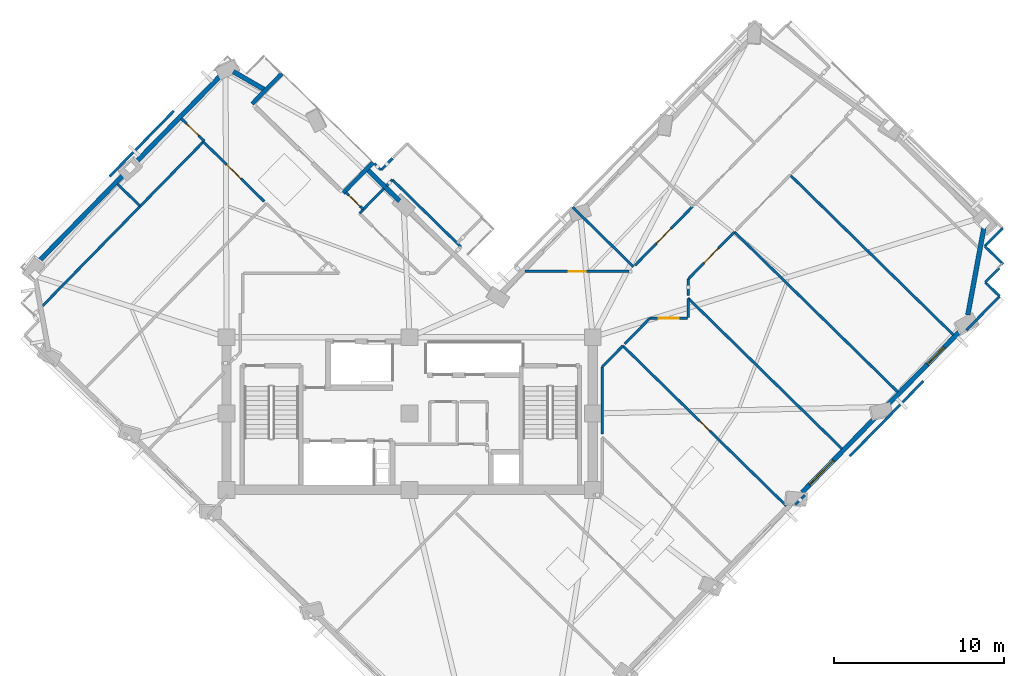
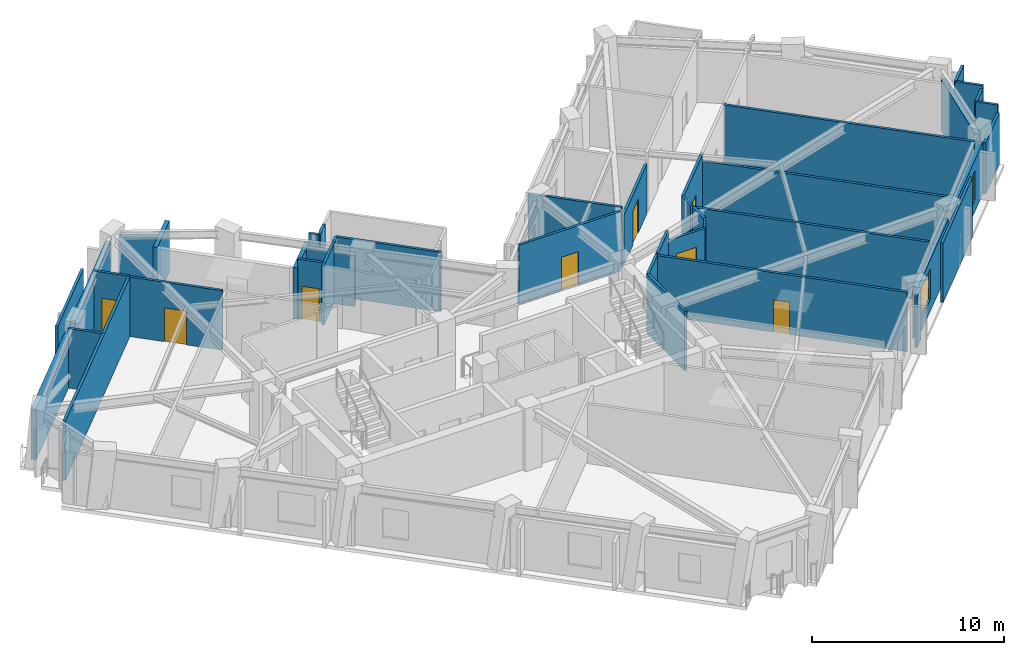
# One storey, part 6 of 12: 41 walls, 8 doors, 2 windows, 10 openings.
"""IFC4 building model written with IfcOpenShell, lengths in metres."""

from ifc_helpers import new_model, si_unit, direction, frame, frame_2d, origin, place, context, subcontext, project, spatial, rectangle, extrude, material, layer, layer_set, type_object, element, fill, save


model = new_model("IFC4")

# Units and contexts
model_context = context("Model", 3, precision=1e-05, world=origin(), true_north=direction((0.0, 1.0)))
body_context = subcontext(model_context, "Body", "Model", "MODEL_VIEW")
ifc_project = project(units=[si_unit("LENGTHUNIT", "METRE"), si_unit("AREAUNIT", "SQUARE_METRE"), si_unit("VOLUMEUNIT", "CUBIC_METRE"), si_unit("PLANEANGLEUNIT", "RADIAN"), si_unit("MASSUNIT", "GRAM", prefix="KILO")], contexts=[model_context])

# Site, building, storey
site_placement = place(None, origin())
site = spatial("IfcSite", under=ifc_project, at=site_placement, CompositionType="ELEMENT")
building_placement = place(site_placement, origin())
building = spatial("IfcBuilding", under=site, at=building_placement, Name="Gaonmaruhae Medical Tower", CompositionType="ELEMENT")
storey_placement = place(building_placement, frame((0.0, 0.0, 219.199951171875)))
storey = spatial("IfcBuildingStorey", under=building, at=storey_placement, Name="L52", CompositionType="ELEMENT", Elevation=219.199951171875)

# Walls
ifc_material_1 = material(Name="Precast concrete C45/55", Category="concrete")
ifc_layer_1 = layer(ifc_material_1, 0.239990234375)
ifc_layer_set_1 = layer_set([ifc_layer_1], Name="Precast concrete C45/55")
wall_type_1 = type_object("IfcWallType", Name="EW-240 Ribbon & Shelter Insulated Precast Wall", PredefinedType="SOLIDWALL", material=ifc_layer_set_1)
wall_1_placement = place(storey_placement, frame((20.88037109375, 25.30322265625, 0.0), z_axis=(0.0, 0.0, 1.0), x_axis=(0.699645566709, 0.714490084595, 0.0)))
element("IfcWall", 1, at=wall_1_placement, inside=storey, type_object=wall_type_1, Name="L52 Recessed Terrace Enclosure Wall TERL", PredefinedType="SOLIDWALL", context=body_context, shape_type="SweptSolid", body=[
    extrude(rectangle(XDim=2.499755859375, YDim=0.239990234375, at=frame_2d((1.25, 0.0))), origin(), (0.0, 0.0, 1.0), 3.26513671875),
])
wall_2_placement = place(storey_placement, frame((17.256591796875, 32.350830078125, 0.0), z_axis=(0.0, 0.0, 1.0), x_axis=(-0.699695417311, -0.714441266301, 0.0)))
element("IfcWall", 2, at=wall_2_placement, inside=storey, type_object=wall_type_1, Name="L52 Recessed Terrace Enclosure Wall TERR", PredefinedType="SOLIDWALL", context=body_context, shape_type="SweptSolid", body=[
    extrude(rectangle(XDim=2.5, YDim=0.239990234375, at=frame_2d((1.25, 0.0))), origin(), (0.0, 0.0, 1.0), 3.26513671875),
])

# Wall, opening, window
ifc_layer_2 = layer(ifc_material_1, 0.280029296875)
ifc_layer_set_2 = layer_set([ifc_layer_2], Name="Precast concrete C45/55")
wall_type_2 = type_object("IfcWallType", Name="EW-280 Upper Precast Masonry-Frame Facade Wall", PredefinedType="SOLIDWALL", material=ifc_layer_set_2)
wall_3_placement = place(storey_placement, frame((52.427490234375, 12.22509765625, 0.0), z_axis=(0.0, 0.0, 1.0), x_axis=(-0.699656404434, -0.714479471877, 0.0)))
wall_3 = element("IfcWall", 3, at=wall_3_placement, inside=storey, type_object=wall_type_2, Name="L52 Precast Masonry-Frame Wall S04-S05", PredefinedType="SOLIDWALL", context=body_context, shape_type="SweptSolid", body=[
    extrude(rectangle(XDim=6.406982421875, YDim=0.280029296875, at=frame_2d((3.20361328125, 0.0))), origin(), (0.0, 0.0, 1.0), 3.26513671875),
])
opening_1_placement = place(wall_3_placement, frame((3.77001953125, 0.0, 0.75)))
opening_1 = element("IfcOpeningElement", 4, at=opening_1_placement, cuts=wall_3, Name="Opening WN-02", PredefinedType="OPENING", context=body_context, shape_type="SweptSolid", body=[
    extrude(rectangle(XDim=2.0, YDim=1.949951171875, at=frame_2d((1.0, 0.97509765625))), frame((0.0, 0.14990234375, 0.0), z_axis=(0.0, -1.0, 0.0), x_axis=(1.0, 0.0, 0.0)), (0.0, 0.0, 1.0), 0.300048828125),
])
ifc_material_2 = material(Name="Anodised aluminium and Low-E double glazing", Category="aluminium")
window_type_1 = type_object("IfcWindowType", Name="WN-02 Double-Bed Ward Punched Window 2000x1950", PartitioningType="SINGLE_PANEL", PredefinedType="WINDOW", material=ifc_material_2)
window_1_placement = place(opening_1_placement, origin())
window_1 = element("IfcWindow", 5, at=window_1_placement, inside=storey, type_object=window_type_1, Name="L52 Modular Facade Window S04", OverallHeight=1.949951171875, OverallWidth=2.0, PartitioningType="SINGLE_PANEL", PredefinedType="WINDOW", context=body_context, shape_type="SweptSolid", body=[
    extrude(rectangle(XDim=2.0, YDim=1.949951171875, at=frame_2d((1.0, 0.97509765625))), frame((0.0, 0.030029296875, 0.0), z_axis=(0.0, -1.0, 0.0), x_axis=(1.0, 0.0, 0.0)), (0.0, 0.0, 1.0), 0.06005859375),
])
fill(opening_1, window_1)

wall_4_placement = place(storey_placement, frame((57.471923828125, 17.376220703125, 0.0), z_axis=(0.0, 0.0, 1.0), x_axis=(-0.699669698405, -0.71446645347, 0.0)))
wall_4 = element("IfcWall", 6, at=wall_4_placement, inside=storey, type_object=wall_type_2, Name="L52 Precast Masonry-Frame Wall S05-S06", PredefinedType="SOLIDWALL", context=body_context, shape_type="SweptSolid", body=[
    extrude(rectangle(XDim=6.41845703125, YDim=0.280029296875, at=frame_2d((3.209228515625, 0.0))), origin(), (0.0, 0.0, 1.0), 3.26513671875),
])
opening_2_placement = place(wall_4_placement, frame((1.630859375, 0.0, 0.75)))
opening_2 = element("IfcOpeningElement", 7, at=opening_2_placement, cuts=wall_4, Name="Opening WN-03", PredefinedType="OPENING", context=body_context, shape_type="SweptSolid", body=[
    extrude(rectangle(XDim=1.39990234375, YDim=1.85009765625, at=frame_2d((0.699951171875, 0.925048828125))), frame((0.0, 0.14990234375, 0.0), z_axis=(0.0, -1.0, 0.0), x_axis=(1.0, 0.0, 0.0)), (0.0, 0.0, 1.0), 0.300048828125),
])
window_type_2 = type_object("IfcWindowType", Name="WN-03 Isolation Ward Punched Window 1400x1850", PartitioningType="SINGLE_PANEL", PredefinedType="WINDOW", material=ifc_material_2)
window_2_placement = place(opening_2_placement, origin())
window_2 = element("IfcWindow", 8, at=window_2_placement, inside=storey, type_object=window_type_2, Name="L52 Modular Facade Window S05", OverallHeight=1.85009765625, OverallWidth=1.39990234375, PartitioningType="SINGLE_PANEL", PredefinedType="WINDOW", context=body_context, shape_type="SweptSolid", body=[
    extrude(rectangle(XDim=1.39990234375, YDim=1.85009765625, at=frame_2d((0.699951171875, 0.925048828125))), frame((0.0, 0.030029296875, 0.0), z_axis=(0.0, -1.0, 0.0), x_axis=(1.0, 0.0, 0.0)), (0.0, 0.0, 1.0), 0.06005859375),
])
fill(opening_2, window_2)

# Walls
wall_5_placement = place(storey_placement, frame((58.6826171875, 23.320556640625, 0.0), z_axis=(0.0, 0.0, 1.0), x_axis=(-0.181327925421, -0.983422688096, 0.0)))
element("IfcWall", 9, at=wall_5_placement, inside=storey, type_object=wall_type_2, Name="L52 Precast Masonry-Frame Wall S06-E01", PredefinedType="SOLIDWALL", context=body_context, shape_type="SweptSolid", body=[
    extrude(rectangle(XDim=5.2939453125, YDim=0.280029296875, at=frame_2d((2.64697265625, 0.0))), origin(), (0.0, 0.0, 1.0), 3.26513671875),
])
wall_6_placement = place(storey_placement, frame((22.286865234375, 26.7109375, 0.0), z_axis=(0.0, 0.0, 1.0), x_axis=(0.714490507763, -0.699645134562, 0.0)))
element("IfcWall", 10, at=wall_6_placement, inside=storey, type_object=wall_type_2, Name="L52 Precast Masonry-Frame Wall NE01-NE02", PredefinedType="SOLIDWALL", context=body_context, shape_type="SweptSolid", body=[
    extrude(rectangle(XDim=2.6806640625, YDim=0.280029296875, at=frame_2d((1.34033203125, 0.0))), origin(), (0.0, 0.0, 1.0), 3.2451171875),
])
wall_7_placement = place(storey_placement, frame((14.40380859375, 32.46484375, 0.0), z_axis=(0.0, 0.0, 1.0), x_axis=(0.865860732719, -0.500285110247, 0.0)))
element("IfcWall", 11, at=wall_7_placement, inside=storey, type_object=wall_type_2, Name="L52 Precast Masonry-Frame Wall NE02-N01", PredefinedType="SOLIDWALL", context=body_context, shape_type="SweptSolid", body=[
    extrude(rectangle(XDim=2.165771484375, YDim=0.280029296875, at=frame_2d((1.0830078125, 0.0))), origin(), (0.0, 0.0, 1.0), 3.2451171875),
])
wall_8_placement = place(storey_placement, frame((8.4833984375, 26.95068359375, 0.0), z_axis=(0.0, 0.0, 1.0), x_axis=(0.699662514677, 0.714473488351, 0.0)))
element("IfcWall", 12, at=wall_8_placement, inside=storey, type_object=wall_type_2, Name="L52 Precast Masonry-Frame Wall N01-N02", PredefinedType="SOLIDWALL", context=body_context, shape_type="SweptSolid", body=[
    extrude(rectangle(XDim=7.43408203125, YDim=0.280029296875, at=frame_2d((3.717041015625, 0.0))), origin(), (0.0, 0.0, 1.0), 3.26513671875),
])
wall_9_placement = place(storey_placement, frame((2.723876953125, 21.0693359375, 0.0), z_axis=(0.0, 0.0, 1.0), x_axis=(0.699663647381, 0.714472379125, 0.0)))
element("IfcWall", 13, at=wall_9_placement, inside=storey, type_object=wall_type_2, Name="L52 Precast Masonry-Frame Wall N02-N03", PredefinedType="SOLIDWALL", context=body_context, shape_type="SweptSolid", body=[
    extrude(rectangle(XDim=7.48486328125, YDim=0.280029296875, at=frame_2d((3.742431640625, 0.0))), origin(), (0.0, 0.0, 1.0), 3.26513671875),
])

# Wall, opening, door
ifc_material_3 = material(Name="Gypsum board partition", Category="gypsum")
ifc_layer_3 = layer(ifc_material_3, 0.14990234375)
ifc_layer_set_3 = layer_set([ifc_layer_3], Name="Gypsum board partition")
wall_type_3 = type_object("IfcWallType", Name="PW-150 Rated Clinical Corridor Partition", PredefinedType="PARTITIONING", material=ifc_layer_set_3)
wall_10_placement = place(storey_placement, frame((37.376953125, 16.2939453125, 0.0), z_axis=(0.0, 0.0, 1.0), x_axis=(0.714446126833, -0.699690454311, 0.0)))
wall_10 = element("IfcWall", 14, at=wall_10_placement, inside=storey, type_object=wall_type_3, Name="L52 Interior Partition L52-SUP05-16", PredefinedType="PARTITIONING", context=body_context, shape_type="SweptSolid", body=[
    extrude(rectangle(XDim=13.484619140625, YDim=0.14990234375, at=frame_2d((6.7421875, 0.0))), origin(), (0.0, 0.0, 1.0), 3.780029296875),
])
opening_3_placement = place(wall_10_placement, frame((6.312255859375, 0.0, 0.0)))
opening_3 = element("IfcOpeningElement", 15, at=opening_3_placement, cuts=wall_10, Name="Opening AD-01", PredefinedType="OPENING", context=body_context, shape_type="SweptSolid", body=[
    extrude(rectangle(XDim=0.860107421875, YDim=2.06005859375, at=frame_2d((0.43017578125, 1.030029296875))), frame((0.0, 0.0849609375, 0.0), z_axis=(0.0, -1.0, 0.0), x_axis=(1.0, 0.0, 0.0)), (0.0, 0.0, 1.0), 0.169921875),
])
ifc_material_4 = material(Name="Powder-coated steel access door", Category="steel")
door_type_1 = type_object("IfcDoorType", Name="AD-01 Riser & Closet Access Fire Door 860x2060", OperationType="NOTDEFINED", PredefinedType="DOOR", material=ifc_material_4)
door_1_placement = place(opening_3_placement, origin())
door_1 = element("IfcDoor", 16, at=door_1_placement, inside=storey, type_object=door_type_1, Name="L52 Clinical Biomedical Charting Office Sliding Door", OperationType="SLIDING_TO_LEFT", OverallHeight=2.06005859375, OverallWidth=0.860107421875, PredefinedType="DOOR", context=body_context, shape_type="SweptSolid", body=[
    extrude(rectangle(XDim=0.860107421875, YDim=2.06005859375, at=frame_2d((0.43017578125, 1.030029296875))), frame((0.0, 0.02490234375, 0.0), z_axis=(0.0, -1.0, 0.0), x_axis=(1.0, 0.0, 0.0)), (0.0, 0.0, 1.0), 0.050048828125),
])
fill(opening_3, door_1)

# Walls
wall_11_placement = place(storey_placement, frame((36.14990234375, 11.092041015625, 0.0), z_axis=(0.0, 0.0, 1.0), x_axis=(0.0, 1.0, 0.0)))
element("IfcWall", 17, at=wall_11_placement, inside=storey, type_object=wall_type_3, Name="L52 Interior Partition L52-SUP05-17", PredefinedType="PARTITIONING", context=body_context, shape_type="SweptSolid", body=[
    extrude(rectangle(XDim=3.948974609375, YDim=0.14990234375, at=frame_2d((1.974609375, 0.0))), origin(), (0.0, 0.0, 1.0), 3.780029296875),
])
wall_12_placement = place(storey_placement, frame((36.14990234375, 15.041015625, 0.0), z_axis=(0.0, 0.0, 1.0), x_axis=(0.699689939296, 0.714446631211, 0.0)))
element("IfcWall", 18, at=wall_12_placement, inside=storey, type_object=wall_type_3, Name="L52 Interior Partition L52-SUP05-18", PredefinedType="PARTITIONING", context=body_context, shape_type="SweptSolid", body=[
    extrude(rectangle(XDim=1.753662109375, YDim=0.14990234375, at=frame_2d((0.876953125, 0.0))), origin(), (0.0, 0.0, 1.0), 3.780029296875),
])
wall_13_placement = place(storey_placement, frame((41.22998046875, 17.949951171875, 0.0), z_axis=(0.0, 0.0, 1.0), x_axis=(0.0, 1.0, 0.0)))
element("IfcWall", 19, at=wall_13_placement, inside=storey, type_object=wall_type_3, Name="L52 Interior Partition L52-SUP06-19", PredefinedType="PARTITIONING", context=body_context, shape_type="SweptSolid", body=[
    extrude(rectangle(XDim=1.149169921875, YDim=0.14990234375, at=frame_2d((0.57470703125, 0.0))), origin(), (0.0, 0.0, 1.0), 3.780029296875),
])
wall_14_placement = place(storey_placement, frame((41.22998046875, 19.09912109375, 0.0), z_axis=(0.0, 0.0, 1.0), x_axis=(0.714433717365, -0.699703125255, 0.0)))
element("IfcWall", 20, at=wall_14_placement, inside=storey, type_object=wall_type_3, Name="L52 Interior Partition L52-SUP06-20", PredefinedType="PARTITIONING", context=body_context, shape_type="SweptSolid", body=[
    extrude(rectangle(XDim=12.695556640625, YDim=0.14990234375, at=frame_2d((6.34765625, 0.0))), origin(), (0.0, 0.0, 1.0), 3.780029296875),
])
wall_15_placement = place(storey_placement, frame((48.10888671875, 7.487060546875, 0.0), z_axis=(0.0, 0.0, 1.0), x_axis=(-0.698757817186, -0.715358310863, 0.0)))
element("IfcWall", 21, at=wall_15_placement, inside=storey, type_object=wall_type_3, Name="L52 Interior Partition L52-SUP06-21", PredefinedType="PARTITIONING", context=body_context, shape_type="SweptSolid", body=[
    extrude(rectangle(XDim=0.794189453125, YDim=0.14990234375, at=frame_2d((0.39697265625, 0.0))), origin(), (0.0, 0.0, 1.0), 3.26513671875),
])
wall_16_placement = place(storey_placement, frame((37.489013671875, 16.407958984375, 0.0), z_axis=(0.0, 0.0, 1.0), x_axis=(0.699508189246, 0.714624581986, 0.0)))
element("IfcWall", 22, at=wall_16_placement, inside=storey, type_object=wall_type_3, Name="L52 Interior Partition L52-SUP06-22", PredefinedType="PARTITIONING", context=body_context, shape_type="SweptSolid", body=[
    extrude(rectangle(XDim=2.11572265625, YDim=0.14990234375, at=frame_2d((1.057861328125, 0.0))), origin(), (0.0, 0.0, 1.0), 3.780029296875),
])

# Wall, opening, door
wall_17_placement = place(storey_placement, frame((38.968994140625, 17.919921875, 0.0), z_axis=(0.0, 0.0, 1.0), x_axis=(1.0, 0.0, 0.0)))
wall_17 = element("IfcWall", 23, at=wall_17_placement, inside=storey, type_object=wall_type_3, Name="L52 Interior Partition L52-SUP06-23", PredefinedType="PARTITIONING", context=body_context, shape_type="SweptSolid", body=[
    extrude(rectangle(XDim=2.23388671875, YDim=0.14990234375, at=frame_2d((1.116943359375, 0.0))), origin(), (0.0, 0.0, 1.0), 3.1650390625),
])
opening_4_placement = place(wall_17_placement, frame((0.51708984375, 0.0, 0.0)))
opening_4 = element("IfcOpeningElement", 24, at=opening_4_placement, cuts=wall_17, Name="Opening CD-02", PredefinedType="OPENING", context=body_context, shape_type="SweptSolid", body=[
    extrude(rectangle(XDim=1.199951171875, YDim=2.14990234375, at=frame_2d((0.60009765625, 1.074951171875))), frame((0.0, 0.0849609375, 0.0), z_axis=(0.0, -1.0, 0.0), x_axis=(1.0, 0.0, 0.0)), (0.0, 0.0, 1.0), 0.169921875),
])
ifc_material_5 = material(Name="Antimicrobial laminate timber fire door", Category="wood")
door_type_2 = type_object("IfcDoorType", Name="CD-02 Clinical Treatment & Procedure Door 1200x2150", OperationType="NOTDEFINED", PredefinedType="DOOR", material=ifc_material_5)
door_2_placement = place(opening_4_placement, origin())
door_2 = element("IfcDoor", 25, at=door_2_placement, inside=storey, type_object=door_type_2, Name="L52 Clinical Biomedical Charting Office Door", OperationType="SINGLE_SWING_RIGHT", OverallHeight=2.14990234375, OverallWidth=1.199951171875, PredefinedType="DOOR", context=body_context, shape_type="SweptSolid", body=[
    extrude(rectangle(XDim=1.199951171875, YDim=2.14990234375, at=frame_2d((0.60009765625, 1.074951171875))), frame((0.0, 0.02490234375, 0.0), z_axis=(0.0, -1.0, 0.0), x_axis=(1.0, 0.0, 0.0)), (0.0, 0.0, 1.0), 0.050048828125),
])
fill(opening_4, door_2)

# Walls
wall_18_placement = place(storey_placement, frame((43.9541015625, 23.010009765625, 0.0), z_axis=(0.0, 0.0, 1.0), x_axis=(0.714437262996, -0.699699504961, 0.0)))
element("IfcWall", 26, at=wall_18_placement, inside=storey, type_object=wall_type_3, Name="L52 Interior Partition L52-SUP07-24", PredefinedType="PARTITIONING", context=body_context, shape_type="SweptSolid", body=[
    extrude(rectangle(XDim=13.484375, YDim=0.14990234375, at=frame_2d((6.7421875, 0.0))), origin(), (0.0, 0.0, 1.0), 3.4150390625),
])
wall_19_placement = place(storey_placement, frame((41.22998046875, 19.27392578125, 0.0), z_axis=(0.0, 0.0, 1.0), x_axis=(0.0, 1.0, 0.0)))
element("IfcWall", 27, at=wall_19_placement, inside=storey, type_object=wall_type_3, Name="L52 Interior Partition L52-SUP07-26", PredefinedType="PARTITIONING", context=body_context, shape_type="SweptSolid", body=[
    extrude(rectangle(XDim=0.9541015625, YDim=0.14990234375, at=frame_2d((0.47705078125, 0.0))), origin(), (0.0, 0.0, 1.0), 3.780029296875),
])

# Wall, opening, door
wall_20_placement = place(storey_placement, frame((41.22998046875, 20.22802734375, 0.0), z_axis=(0.0, 0.0, 1.0), x_axis=(0.699637463653, 0.714498019209, 0.0)))
wall_20 = element("IfcWall", 28, at=wall_20_placement, inside=storey, type_object=wall_type_3, Name="L52 Interior Partition L52-SUP07-27", PredefinedType="PARTITIONING", context=body_context, shape_type="SweptSolid", body=[
    extrude(rectangle(XDim=3.8935546875, YDim=0.14990234375, at=frame_2d((1.94677734375, 0.0))), origin(), (0.0, 0.0, 1.0), 3.780029296875),
])
opening_5_placement = place(wall_20_placement, frame((1.3466796875, 0.0, 0.0)))
opening_5 = element("IfcOpeningElement", 29, at=opening_5_placement, cuts=wall_20, Name="Opening CD-02", PredefinedType="OPENING", context=body_context, shape_type="SweptSolid", body=[
    extrude(rectangle(XDim=1.199951171875, YDim=2.14990234375, at=frame_2d((0.60009765625, 1.074951171875))), frame((0.0, 0.0849609375, 0.0), z_axis=(0.0, -1.0, 0.0), x_axis=(1.0, 0.0, 0.0)), (0.0, 0.0, 1.0), 0.169921875),
])
door_3_placement = place(opening_5_placement, origin())
door_3 = element("IfcDoor", 30, at=door_3_placement, inside=storey, type_object=door_type_2, Name="L52 Clinical Biomedical Charting Office Door", OperationType="SINGLE_SWING_LEFT", OverallHeight=2.14990234375, OverallWidth=1.199951171875, PredefinedType="DOOR", context=body_context, shape_type="SweptSolid", body=[
    extrude(rectangle(XDim=1.199951171875, YDim=2.14990234375, at=frame_2d((0.60009765625, 1.074951171875))), frame((0.0, 0.02490234375, 0.0), z_axis=(0.0, -1.0, 0.0), x_axis=(1.0, 0.0, 0.0)), (0.0, 0.0, 1.0), 0.050048828125),
])
fill(opening_5, door_3)

# Walls
wall_21_placement = place(storey_placement, frame((47.241943359375, 26.367919921875, 0.0), z_axis=(0.0, 0.0, 1.0), x_axis=(0.714409925355, -0.699727417323, 0.0)))
element("IfcWall", 31, at=wall_21_placement, inside=storey, type_object=wall_type_3, Name="L52 Interior Partition L52-SUP08-29", PredefinedType="PARTITIONING", context=body_context, shape_type="SweptSolid", body=[
    extrude(rectangle(XDim=13.4853515625, YDim=0.14990234375, at=frame_2d((6.74267578125, 0.0))), origin(), (0.0, 0.0, 1.0), 3.780029296875),
])
wall_22_placement = place(storey_placement, frame((59.596923828125, 19.217041015625, 0.0), z_axis=(0.0, 0.0, 1.0), x_axis=(-0.699925026258, -0.714216324105, 0.0)))
element("IfcWall", 32, at=wall_22_placement, inside=storey, type_object=wall_type_3, Name="L52 Interior Partition L52-SUP09-30", PredefinedType="PARTITIONING", context=body_context, shape_type="SweptSolid", body=[
    extrude(rectangle(XDim=2.8017578125, YDim=0.14990234375, at=frame_2d((1.40087890625, 0.0))), origin(), (0.0, 0.0, 1.0), 3.26513671875),
])
wall_23_placement = place(storey_placement, frame((59.569091796875, 20.875, 0.0), z_axis=(0.0, 0.0, 1.0), x_axis=(-0.700266156004, -0.713881860503, 0.0)))
element("IfcWall", 33, at=wall_23_placement, inside=storey, type_object=wall_type_3, Name="L52 Interior Partition L52-SUP09-34", PredefinedType="PARTITIONING", context=body_context, shape_type="SweptSolid", body=[
    extrude(rectangle(XDim=1.16552734375, YDim=0.14990234375, at=frame_2d((0.582763671875, 0.0))), origin(), (0.0, 0.0, 1.0), 3.780029296875),
])
wall_24_placement = place(storey_placement, frame((58.7529296875, 20.04296875, 0.0), z_axis=(0.0, 0.0, 1.0), x_axis=(0.714714941307, -0.699415865328, 0.0)))
element("IfcWall", 34, at=wall_24_placement, inside=storey, type_object=wall_type_3, Name="L52 Interior Partition L52-SUP09-35", PredefinedType="PARTITIONING", context=body_context, shape_type="SweptSolid", body=[
    extrude(rectangle(XDim=1.180908203125, YDim=0.14990234375, at=frame_2d((0.59033203125, 0.0))), origin(), (0.0, 0.0, 1.0), 3.780029296875),
])
wall_25_placement = place(storey_placement, frame((3.135986328125, 18.633056640625, 0.0), z_axis=(0.0, 0.0, 1.0), x_axis=(0.699746859046, 0.71439088268, 0.0)))
element("IfcWall", 35, at=wall_25_placement, inside=storey, type_object=wall_type_3, Name="L52 Interior Partition L52-WOF14-52", PredefinedType="PARTITIONING", context=body_context, shape_type="SweptSolid", body=[
    extrude(rectangle(XDim=13.57080078125, YDim=0.14990234375, at=frame_2d((6.785400390625, 0.0))), origin(), (0.0, 0.0, 1.0), 3.780029296875),
])

# Wall, opening, door
wall_26_placement = place(storey_placement, frame((12.632080078125, 28.327880859375, 0.0), z_axis=(0.0, 0.0, 1.0), x_axis=(0.714408997324, -0.699728364826, 0.0)))
wall_26 = element("IfcWall", 36, at=wall_26_placement, inside=storey, type_object=wall_type_3, Name="L52 Interior Partition L52-WOF14-53", PredefinedType="PARTITIONING", context=body_context, shape_type="SweptSolid", body=[
    extrude(rectangle(XDim=5.038818359375, YDim=0.14990234375, at=frame_2d((2.51953125, 0.0))), origin(), (0.0, 0.0, 1.0), 3.780029296875),
])
opening_6_placement = place(wall_26_placement, frame((1.919677734375, 0.0, 0.0)))
opening_6 = element("IfcOpeningElement", 37, at=opening_6_placement, cuts=wall_26, Name="Opening CD-02", PredefinedType="OPENING", context=body_context, shape_type="SweptSolid", body=[
    extrude(rectangle(XDim=1.199951171875, YDim=2.14990234375, at=frame_2d((0.60009765625, 1.074951171875))), frame((0.0, 0.0849609375, 0.0), z_axis=(0.0, -1.0, 0.0), x_axis=(1.0, 0.0, 0.0)), (0.0, 0.0, 1.0), 0.169921875),
])
door_4_placement = place(opening_6_placement, origin())
door_4 = element("IfcDoor", 38, at=door_4_placement, inside=storey, type_object=door_type_2, Name="L52 Ward Physician Reporting Office Door", OperationType="SINGLE_SWING_LEFT", OverallHeight=2.14990234375, OverallWidth=1.199951171875, PredefinedType="DOOR", context=body_context, shape_type="SweptSolid", body=[
    extrude(rectangle(XDim=1.199951171875, YDim=2.14990234375, at=frame_2d((0.60009765625, 1.074951171875))), frame((0.0, 0.02490234375, 0.0), z_axis=(0.0, -1.0, 0.0), x_axis=(1.0, 0.0, 0.0)), (0.0, 0.0, 1.0), 0.050048828125),
])
fill(opening_6, door_4)

# Wall
wall_27_placement = place(storey_placement, frame((34.405029296875, 24.47900390625, 0.0), z_axis=(0.0, 0.0, 1.0), x_axis=(0.714503363724, -0.699632005577, 0.0)))
element("IfcWall", 39, at=wall_27_placement, inside=storey, type_object=wall_type_3, Name="L52 Interior Partition L52-IE02-58", PredefinedType="PARTITIONING", context=body_context, shape_type="SweptSolid", body=[
    extrude(rectangle(XDim=5.0400390625, YDim=0.14990234375, at=frame_2d((2.52001953125, 0.0))), origin(), (0.0, 0.0, 1.0), 3.780029296875),
])

# Wall, opening, door
wall_28_placement = place(storey_placement, frame((37.739013671875, 20.679931640625, 0.0), z_axis=(0.0, 0.0, 1.0), x_axis=(-1.0, 0.0, 0.0)))
wall_28 = element("IfcWall", 40, at=wall_28_placement, inside=storey, type_object=wall_type_3, Name="L52 Interior Partition L52-IE02-59", PredefinedType="PARTITIONING", context=body_context, shape_type="SweptSolid", body=[
    extrude(rectangle(XDim=6.123046875, YDim=0.14990234375, at=frame_2d((3.0615234375, 0.0))), origin(), (0.0, 0.0, 1.0), 3.780029296875),
])
opening_7_placement = place(wall_28_placement, frame((2.5615234375, 0.0, 0.0)))
opening_7 = element("IfcOpeningElement", 41, at=opening_7_placement, cuts=wall_28, Name="Opening CD-01", PredefinedType="OPENING", context=body_context, shape_type="SweptSolid", body=[
    extrude(rectangle(XDim=1.0, YDim=2.1201171875, at=frame_2d((0.5, 1.06005859375))), frame((0.0, 0.0849609375, 0.0), z_axis=(0.0, -1.0, 0.0), x_axis=(1.0, 0.0, 0.0)), (0.0, 0.0, 1.0), 0.169921875),
])
door_type_3 = type_object("IfcDoorType", Name="CD-01 Consultation & Physician Office Door 1000x2120", OperationType="NOTDEFINED", PredefinedType="DOOR", material=ifc_material_5)
door_5_placement = place(opening_7_placement, origin())
door_5 = element("IfcDoor", 42, at=door_5_placement, inside=storey, type_object=door_type_3, Name="L52 Acute Treatment Examination Room Door", OperationType="SINGLE_SWING_RIGHT", OverallHeight=2.1201171875, OverallWidth=1.0, PredefinedType="DOOR", context=body_context, shape_type="SweptSolid", body=[
    extrude(rectangle(XDim=1.0, YDim=2.1201171875, at=frame_2d((0.5, 1.06005859375))), frame((0.0, 0.02490234375, 0.0), z_axis=(0.0, -1.0, 0.0), x_axis=(1.0, 0.0, 0.0)), (0.0, 0.0, 1.0), 0.050048828125),
])
fill(opening_7, door_5)

wall_29_placement = place(storey_placement, frame((41.489013671875, 24.509033203125, 0.0), z_axis=(0.0, 0.0, 1.0), x_axis=(-0.699655259221, -0.71448059333, 0.0)))
wall_29 = element("IfcWall", 43, at=wall_29_placement, inside=storey, type_object=wall_type_3, Name="L52 Interior Partition L52-IE03-61", PredefinedType="PARTITIONING", context=body_context, shape_type="SweptSolid", body=[
    extrude(rectangle(XDim=4.85791015625, YDim=0.14990234375, at=frame_2d((2.428955078125, 0.0))), origin(), (0.0, 0.0, 1.0), 3.1650390625),
])
opening_8_placement = place(wall_29_placement, frame((1.8291015625, 0.0, 0.0)))
opening_8 = element("IfcOpeningElement", 44, at=opening_8_placement, cuts=wall_29, Name="Opening CD-02", PredefinedType="OPENING", context=body_context, shape_type="SweptSolid", body=[
    extrude(rectangle(XDim=1.199951171875, YDim=2.14990234375, at=frame_2d((0.60009765625, 1.074951171875))), frame((0.0, 0.0849609375, 0.0), z_axis=(0.0, -1.0, 0.0), x_axis=(1.0, 0.0, 0.0)), (0.0, 0.0, 1.0), 0.169921875),
])
door_6_placement = place(opening_8_placement, origin())
door_6 = element("IfcDoor", 45, at=door_6_placement, inside=storey, type_object=door_type_2, Name="L52 Clean Medication Preparation Room Door", OperationType="SINGLE_SWING_LEFT", OverallHeight=2.14990234375, OverallWidth=1.199951171875, PredefinedType="DOOR", context=body_context, shape_type="SweptSolid", body=[
    extrude(rectangle(XDim=1.199951171875, YDim=2.14990234375, at=frame_2d((0.60009765625, 1.074951171875))), frame((0.0, 0.02490234375, 0.0), z_axis=(0.0, -1.0, 0.0), x_axis=(1.0, 0.0, 0.0)), (0.0, 0.0, 1.0), 0.050048828125),
])
fill(opening_8, door_6)

# Walls
wall_30_placement = place(storey_placement, frame((23.781982421875, 26.0869140625, 0.0), z_axis=(0.0, 0.0, 1.0), x_axis=(0.71440790838, -0.699729476615, 0.0)))
element("IfcWall", 46, at=wall_30_placement, inside=storey, type_object=wall_type_3, Name="L52 Interior Partition L52-IN01-75", PredefinedType="PARTITIONING", context=body_context, shape_type="SweptSolid", body=[
    extrude(rectangle(XDim=5.655029296875, YDim=0.14990234375, at=frame_2d((2.82763671875, 0.0))), origin(), (0.0, 0.0, 1.0), 3.780029296875),
])
wall_31_placement = place(storey_placement, frame((21.843994140625, 24.10791015625, 0.0), z_axis=(0.0, 0.0, 1.0), x_axis=(0.699762512538, 0.714375549726, 0.0)))
element("IfcWall", 47, at=wall_31_placement, inside=storey, type_object=wall_type_3, Name="L52 Interior Partition L52-IN01-80", PredefinedType="PARTITIONING", context=body_context, shape_type="SweptSolid", body=[
    extrude(rectangle(XDim=2.054931640625, YDim=0.14990234375, at=frame_2d((1.02734375, 0.0))), origin(), (0.0, 0.0, 1.0), 3.780029296875),
])
wall_32_placement = place(storey_placement, frame((23.44189453125, 25.739990234375, 0.0), z_axis=(0.0, 0.0, 1.0), x_axis=(0.700036239273, 0.714107319459, 0.0)))
element("IfcWall", 48, at=wall_32_placement, inside=storey, type_object=wall_type_3, Name="L52 Interior Partition L52-IN01-81", PredefinedType="PARTITIONING", context=body_context, shape_type="SweptSolid", body=[
    extrude(rectangle(XDim=0.48583984375, YDim=0.14990234375, at=frame_2d((0.242919921875, 0.0))), origin(), (0.0, 0.0, 1.0), 3.780029296875),
])
wall_33_placement = place(storey_placement, frame((8.89501953125, 24.541015625, 0.0), z_axis=(0.0, 0.0, 1.0), x_axis=(-0.714592202045, 0.699541267386, 0.0)))
element("IfcWall", 49, at=wall_33_placement, inside=storey, type_object=wall_type_3, Name="L52 Interior Partition L52-RM02-88", PredefinedType="PARTITIONING", context=body_context, shape_type="SweptSolid", body=[
    extrude(rectangle(XDim=1.865478515625, YDim=0.14990234375, at=frame_2d((0.9326171875, 0.0))), origin(), (0.0, 0.0, 1.0), 3.780029296875),
])
wall_34_placement = place(storey_placement, frame((7.10888671875, 26.2900390625, 0.0), z_axis=(0.0, 0.0, 1.0), x_axis=(0.699639245375, 0.71449627454, 0.0)))
element("IfcWall", 50, at=wall_34_placement, inside=storey, type_object=wall_type_3, Name="L52 Interior Partition L52-RM02-89", PredefinedType="PARTITIONING", context=body_context, shape_type="SweptSolid", body=[
    extrude(rectangle(XDim=5.389892578125, YDim=0.14990234375, at=frame_2d((2.69482421875, 0.0))), origin(), (0.0, 0.0, 1.0), 3.780029296875),
])

# Wall, opening, door
wall_35_placement = place(storey_placement, frame((11.3330078125, 29.697021484375, 0.0), z_axis=(0.0, 0.0, 1.0), x_axis=(0.714703185828, -0.699427877745, 0.0)))
wall_35 = element("IfcWall", 51, at=wall_35_placement, inside=storey, type_object=wall_type_3, Name="L52 Interior Partition L52-RM02-90", PredefinedType="PARTITIONING", context=body_context, shape_type="SweptSolid", body=[
    extrude(rectangle(XDim=1.885986328125, YDim=0.14990234375, at=frame_2d((0.94287109375, 0.0))), origin(), (0.0, 0.0, 1.0), 3.780029296875),
])
opening_9_placement = place(wall_35_placement, frame((0.443115234375, 0.0, 0.0)))
opening_9 = element("IfcOpeningElement", 52, at=opening_9_placement, cuts=wall_35, Name="Opening CD-01", PredefinedType="OPENING", context=body_context, shape_type="SweptSolid", body=[
    extrude(rectangle(XDim=1.0, YDim=2.1201171875, at=frame_2d((0.5, 1.06005859375))), frame((0.0, 0.0849609375, 0.0), z_axis=(0.0, -1.0, 0.0), x_axis=(1.0, 0.0, 0.0)), (0.0, 0.0, 1.0), 0.169921875),
])
door_7_placement = place(opening_9_placement, origin())
door_7 = element("IfcDoor", 53, at=door_7_placement, inside=storey, type_object=door_type_3, Name="L52 Care Team Clinical Charting Office Door", OperationType="SINGLE_SWING_RIGHT", OverallHeight=2.1201171875, OverallWidth=1.0, PredefinedType="DOOR", context=body_context, shape_type="SweptSolid", body=[
    extrude(rectangle(XDim=1.0, YDim=2.1201171875, at=frame_2d((0.5, 1.06005859375))), frame((0.0, 0.02490234375, 0.0), z_axis=(0.0, -1.0, 0.0), x_axis=(1.0, 0.0, 0.0)), (0.0, 0.0, 1.0), 0.050048828125),
])
fill(opening_9, door_7)

wall_36_placement = place(storey_placement, frame((22.053955078125, 24.35009765625, 0.0), z_axis=(0.0, 0.0, 1.0), x_axis=(-0.714595133376, 0.699538272973, 0.0)))
wall_36 = element("IfcWall", 54, at=wall_36_placement, inside=storey, type_object=wall_type_3, Name="L52 Interior Partition L52-RM03-92", PredefinedType="PARTITIONING", context=body_context, shape_type="SweptSolid", body=[
    extrude(rectangle(XDim=1.41064453125, YDim=0.14990234375, at=frame_2d((0.705322265625, 0.0))), origin(), (0.0, 0.0, 1.0), 3.780029296875),
])
opening_10_placement = place(wall_36_placement, frame((0.245361328125, 0.0, 0.0)))
opening_10 = element("IfcOpeningElement", 55, at=opening_10_placement, cuts=wall_36, Name="Opening UD-01", PredefinedType="OPENING", context=body_context, shape_type="SweptSolid", body=[
    extrude(rectangle(XDim=0.919921875, YDim=2.10009765625, at=frame_2d((0.4599609375, 1.050048828125))), frame((0.0, 0.0849609375, 0.0), z_axis=(0.0, -1.0, 0.0), x_axis=(1.0, 0.0, 0.0)), (0.0, 0.0, 1.0), 0.169921875),
])
ifc_material_6 = material(Name="Powder-coated steel utility door", Category="steel")
door_type_4 = type_object("IfcDoorType", Name="UD-01 Toilet, Utility & Housekeeping Door 920x2100", OperationType="NOTDEFINED", PredefinedType="DOOR", material=ifc_material_6)
door_8_placement = place(opening_10_placement, origin())
door_8 = element("IfcDoor", 56, at=door_8_placement, inside=storey, type_object=door_type_4, Name="L52 Biomedical Mobile Equipment Bay Door", OperationType="SINGLE_SWING_LEFT", OverallHeight=2.10009765625, OverallWidth=0.919921875, PredefinedType="DOOR", context=body_context, shape_type="SweptSolid", body=[
    extrude(rectangle(XDim=0.919921875, YDim=2.10009765625, at=frame_2d((0.4599609375, 1.050048828125))), frame((0.0, 0.02490234375, 0.0), z_axis=(0.0, -1.0, 0.0), x_axis=(1.0, 0.0, 0.0)), (0.0, 0.0, 1.0), 0.050048828125),
])
fill(opening_10, door_8)

# Walls
wall_37_placement = place(storey_placement, frame((22.718994140625, 27.05810546875, 0.0), z_axis=(0.0, 0.0, 1.0), x_axis=(0.714115992934, -0.700027391347, 0.0)))
element("IfcWall", 57, at=wall_37_placement, inside=storey, type_object=wall_type_3, Name="L52 Interior Partition L52-RM03-93", PredefinedType="PARTITIONING", context=body_context, shape_type="SweptSolid", body=[
    extrude(rectangle(XDim=0.554443359375, YDim=0.14990234375, at=frame_2d((0.27734375, 0.0))), origin(), (0.0, 0.0, 1.0), 3.780029296875),
])
wall_38_placement = place(storey_placement, frame((23.114990234375, 26.669921875, 0.0), z_axis=(0.0, 0.0, 1.0), x_axis=(0.699257791753, 0.71486959697, 0.0)))
element("IfcWall", 58, at=wall_38_placement, inside=storey, type_object=wall_type_3, Name="L52 Interior Partition L52-RM03-94", PredefinedType="PARTITIONING", context=body_context, shape_type="SweptSolid", body=[
    extrude(rectangle(XDim=0.969482421875, YDim=0.14990234375, at=frame_2d((0.48486328125, 0.0))), origin(), (0.0, 0.0, 1.0), 3.780029296875),
])
wall_39_placement = place(storey_placement, frame((55.094970703125, 14.2060546875, 0.0), z_axis=(0.0, 0.0, 1.0), x_axis=(-0.699633601264, -0.714501801245, 0.0)))
element("IfcWall", 59, at=wall_39_placement, inside=storey, type_object=wall_type_3, Name="L52 Interior Partition L52-RM05-100", PredefinedType="PARTITIONING", context=body_context, shape_type="SweptSolid", body=[
    extrude(rectangle(XDim=6.1904296875, YDim=0.14990234375, at=frame_2d((3.09521484375, 0.0))), origin(), (0.0, 0.0, 1.0), 3.780029296875),
])
for number, where, z_axis, x_axis, name in (
    (60, (58.73095703125, 22.1640625, 0.0), (0.0, 0.0, 1.0), (0.714390116694, -0.699747641061, 0.0), "L52 Interior Partition L52-RM06-101"),
    (61, (59.781005859375, 23.236083984375, 0.0), (0.0, 0.0, 1.0), (-0.699747641061, -0.714390116694, 0.0), "L52 Interior Partition L52-RM06-105"),
):
    element("IfcWall", number, at=place(storey_placement, frame(where, z_axis=z_axis, x_axis=x_axis)), inside=storey, type_object=wall_type_3, Name=name, PredefinedType="PARTITIONING", context=body_context, shape_type="SweptSolid", body=[
        extrude(rectangle(XDim=1.500732421875, YDim=0.14990234375, at=frame_2d((0.75048828125, 0.0))), origin(), (0.0, 0.0, 1.0), 3.780029296875),
    ])

save(model, "model.ifc")
